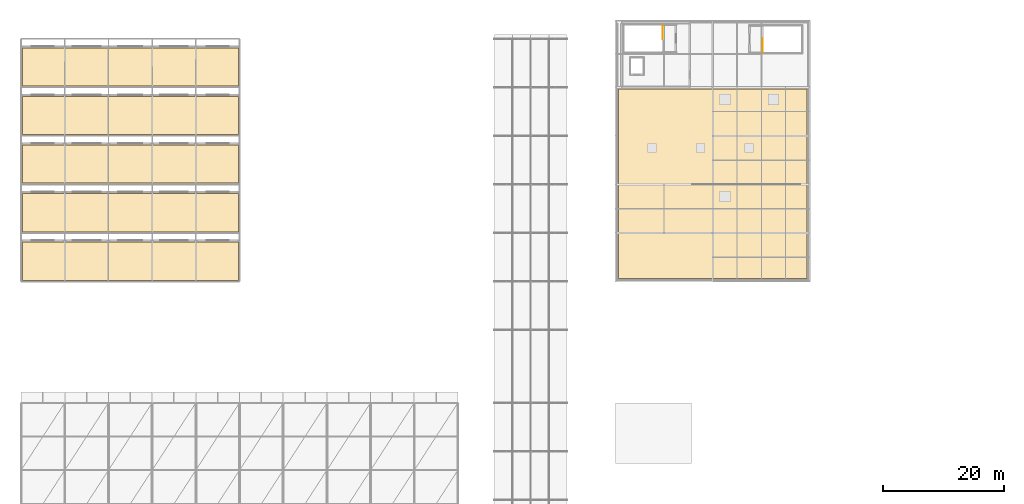
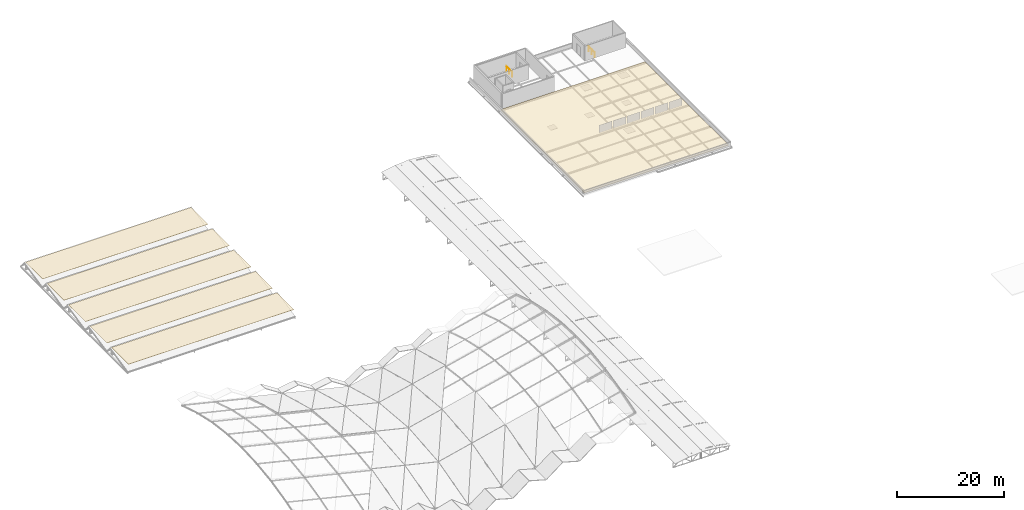
# One storey, part 54 of 54: 6 coverings, 2 railings.
"""IFC4 building model written with IfcOpenShell, lengths in metres."""

from ifc_helpers import new_model, si_unit, derived_unit, direction, frame, origin, origin_2d, place, context, subcontext, project, spatial, polyline, circle, outline, extrude, material, layer, layer_set, type_object, element, save


model = new_model("IFC4")

# Units and contexts
model_context = context("Model", 3, precision=1e-05, world=origin(), true_north=direction((0.0, 1.0)))
body_context = subcontext(model_context, "Body", "Model", "MODEL_VIEW")
ifc_project = project(units=[si_unit("LENGTHUNIT", "METRE"), si_unit("AREAUNIT", "SQUARE_METRE"), si_unit("VOLUMEUNIT", "CUBIC_METRE"), si_unit("PLANEANGLEUNIT", "RADIAN"), si_unit("MASSUNIT", "GRAM", prefix="KILO"), derived_unit("THERMALTRANSMITTANCEUNIT", [(si_unit("POWERUNIT", "WATT"), 1), (si_unit("LENGTHUNIT", "METRE"), -2), (si_unit("THERMODYNAMICTEMPERATUREUNIT", "KELVIN"), -1)])], contexts=[model_context])

# Site, building, storey
site_placement = place(None, origin())
site = spatial("IfcSite", under=ifc_project, at=site_placement, CompositionType="ELEMENT")
building_placement = place(site_placement, origin())
building = spatial("IfcBuilding", under=site, at=building_placement, Name="Keldorne Ridge Multi-Sports Centre", CompositionType="ELEMENT")
storey_placement = place(building_placement, frame((0.0, 0.0, 22.199951171875)))
storey = spatial("IfcBuildingStorey", under=building, at=storey_placement, Name="ROOF", CompositionType="ELEMENT", Elevation=22.199951171875)

# Coverings
ifc_material_1 = material(Name="Standing-seam aluminium roofing", Category="aluminium")
ifc_layer_1 = layer(ifc_material_1, 0.06005859375)
ifc_layer_set_1 = layer_set([ifc_layer_1])
covering_type_1 = type_object("IfcCoveringType", Name="COV-RF-01", PredefinedType="ROOFING", material=ifc_layer_set_1)
covering_1_placement = place(storey_placement, frame((0.0, 0.0, -4.39990234375)))
element("IfcCovering", 1, at=covering_1_placement, inside=storey, type_object=covering_type_1, Name="Sawtooth bay 1 standing-seam roofing", PredefinedType="ROOFING", context=body_context, shape_type="SweptSolid", body=[
    extrude(outline(polyline([(6.199951171875, 74.199951171875), (41.800048828125, 74.199951171875), (41.800048828125, 80.5), (6.199951171875, 80.5), (6.199951171875, 74.199951171875)])), origin(), (0.0, 0.0, 1.0), 0.06005859375),
])
covering_2_placement = place(storey_placement, frame((0.0, 0.0, -4.39990234375)))
element("IfcCovering", 2, at=covering_2_placement, inside=storey, type_object=covering_type_1, Name="Sawtooth bay 2 standing-seam roofing", PredefinedType="ROOFING", context=body_context, shape_type="SweptSolid", body=[
    extrude(outline(polyline([(6.199951171875, 82.199951171875), (41.800048828125, 82.199951171875), (41.800048828125, 88.5), (6.199951171875, 88.5), (6.199951171875, 82.199951171875)])), origin(), (0.0, 0.0, 1.0), 0.06005859375),
])
covering_3_placement = place(storey_placement, frame((0.0, 0.0, -4.39990234375)))
element("IfcCovering", 3, at=covering_3_placement, inside=storey, type_object=covering_type_1, Name="Sawtooth bay 3 standing-seam roofing", PredefinedType="ROOFING", context=body_context, shape_type="SweptSolid", body=[
    extrude(outline(polyline([(6.199951171875, 90.199951171875), (41.800048828125, 90.199951171875), (41.800048828125, 96.5), (6.199951171875, 96.5), (6.199951171875, 90.199951171875)])), origin(), (0.0, 0.0, 1.0), 0.06005859375),
])
covering_4_placement = place(storey_placement, frame((0.0, 0.0, -4.39990234375)))
element("IfcCovering", 4, at=covering_4_placement, inside=storey, type_object=covering_type_1, Name="Sawtooth bay 4 standing-seam roofing", PredefinedType="ROOFING", context=body_context, shape_type="SweptSolid", body=[
    extrude(outline(polyline([(6.199951171875, 98.199951171875), (41.800048828125, 98.199951171875), (41.800048828125, 104.5), (6.199951171875, 104.5), (6.199951171875, 98.199951171875)])), origin(), (0.0, 0.0, 1.0), 0.06005859375),
])
covering_5_placement = place(storey_placement, frame((0.0, 0.0, -4.39990234375)))
element("IfcCovering", 5, at=covering_5_placement, inside=storey, type_object=covering_type_1, Name="Sawtooth bay 5 standing-seam roofing", PredefinedType="ROOFING", context=body_context, shape_type="SweptSolid", body=[
    extrude(outline(polyline([(6.199951171875, 106.199951171875), (41.800048828125, 106.199951171875), (41.800048828125, 112.5), (6.199951171875, 112.5), (6.199951171875, 106.199951171875)])), origin(), (0.0, 0.0, 1.0), 0.06005859375),
])
ifc_material_2 = material(Name="EPDM and sedum extensive green roof")
ifc_layer_2 = layer(ifc_material_2, 0.1201171875)
ifc_layer_set_2 = layer_set([ifc_layer_2])
covering_type_2 = type_object("IfcCoveringType", Name="COV-RF-02", PredefinedType="MEMBRANE", material=ifc_layer_set_2)
covering_6_placement = place(storey_placement, origin())
element("IfcCovering", 6, at=covering_6_placement, inside=storey, type_object=covering_type_2, Name="East Wing sedum green roof", PredefinedType="MEMBRANE", context=body_context, shape_type="SweptSolid", body=[
    extrude(outline(polyline([(104.5, 74.5), (135.5, 74.5), (135.5, 105.699951171875), (104.5, 105.699951171875), (104.5, 74.5)])), origin(), (0.0, 0.0, 1.0), 0.1201171875),
])

# Railings
ifc_material_3 = material(Name="Laminated glass and stainless steel", Category="steel")
railing_type = type_object("IfcRailingType", Name="RLG-BL-01", PredefinedType="BALUSTRADE", material=ifc_material_3)
railing_1_placement = place(storey_placement, frame((111.75, 116.199951171875, 0.0)))
element("IfcRailing", 7, at=railing_1_placement, inside=storey, type_object=railing_type, Name="ROOF ST-01 top well guard 1", PredefinedType="BALUSTRADE", context=body_context, shape_type="SweptSolid", body=[
    extrude(circle(Radius=0.02392578125, at=origin_2d()), frame((0.0, 0.0, 1.076171875), z_axis=(0.0, -1.0, 0.0), x_axis=(1.0, 0.0, 0.0)), (0.0, 0.0, 1.0), 2.239990234375),
    extrude(circle(Radius=0.02099609375, at=origin_2d()), origin(), (0.0, 0.0, 1.0), 1.052001953125),
    extrude(circle(Radius=0.02099609375, at=origin_2d()), frame((0.0, -1.1201171875, 0.0)), (0.0, 0.0, 1.0), 1.052001953125),
    extrude(circle(Radius=0.02099609375, at=origin_2d()), frame((0.0, -2.239990234375, 0.0)), (0.0, 0.0, 1.0), 1.052001953125),
])
railing_2_placement = place(storey_placement, frame((128.25, 111.800048828125, 0.0)))
element("IfcRailing", 8, at=railing_2_placement, inside=storey, type_object=railing_type, Name="ROOF ST-10 top well guard 1", PredefinedType="BALUSTRADE", context=body_context, shape_type="SweptSolid", body=[
    extrude(circle(Radius=0.02392578125, at=origin_2d()), frame((0.0, 0.0, 1.076171875), z_axis=(0.0, 1.0, 0.0), x_axis=(-1.0, 0.0, 0.0)), (0.0, 0.0, 1.0), 2.239990234375),
    extrude(circle(Radius=0.02099609375, at=origin_2d()), origin(), (0.0, 0.0, 1.0), 1.052001953125),
    extrude(circle(Radius=0.02099609375, at=origin_2d()), frame((0.0, 1.1201171875, 0.0)), (0.0, 0.0, 1.0), 1.052001953125),
    extrude(circle(Radius=0.02099609375, at=origin_2d()), frame((0.0, 2.239990234375, 0.0)), (0.0, 0.0, 1.0), 1.052001953125),
])

save(model, "model.ifc")
